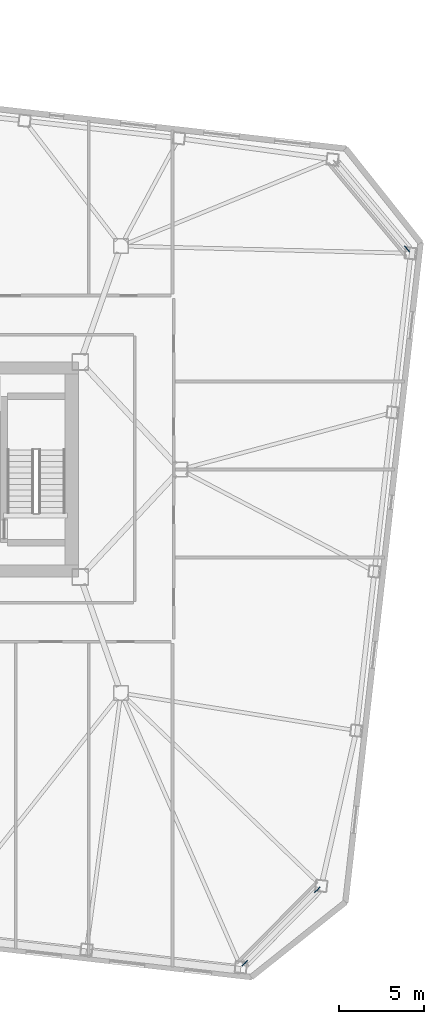
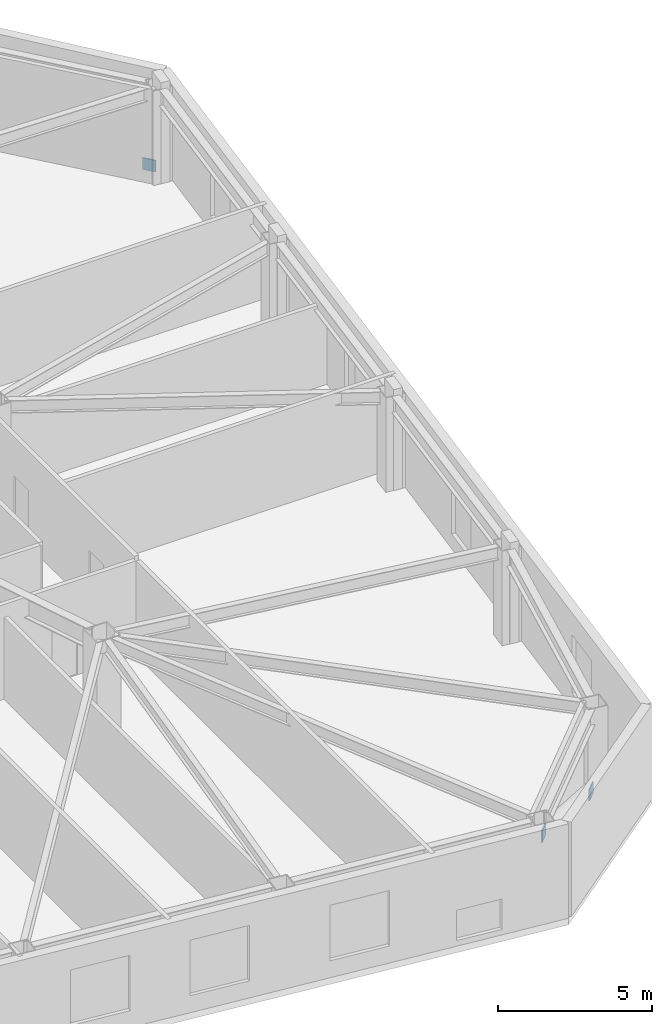
# One storey, part 19 of 21: 3 discrete accessories.
"""IFC4 building model written with IfcOpenShell, lengths in metres."""

from ifc_helpers import new_model, si_unit, direction, frame, origin, origin_2d, place, context, subcontext, project, spatial, rectangle, extrude, material, type_object, element, save


model = new_model("IFC4")

# Units and contexts
model_context = context("Model", 3, precision=1e-05, world=origin(), true_north=direction((0.0, 1.0)))
body_context = subcontext(model_context, "Body", "Model", "MODEL_VIEW")
ifc_project = project(units=[si_unit("LENGTHUNIT", "METRE"), si_unit("AREAUNIT", "SQUARE_METRE"), si_unit("VOLUMEUNIT", "CUBIC_METRE"), si_unit("PLANEANGLEUNIT", "RADIAN"), si_unit("MASSUNIT", "GRAM", prefix="KILO")], contexts=[model_context])

# Site, building, storey
site_placement = place(None, origin())
site = spatial("IfcSite", under=ifc_project, at=site_placement, CompositionType="ELEMENT")
building_placement = place(site_placement, origin())
building = spatial("IfcBuilding", under=site, at=building_placement, Name="Tavrogorsk Clinical Tower", CompositionType="ELEMENT")
storey_placement = place(building_placement, frame((0.0, 0.0, 137.39990234375)))
storey = spatial("IfcBuildingStorey", under=building, at=storey_placement, Name="L31", CompositionType="ELEMENT", Elevation=137.39990234375)

# Discrete accessories
ifc_material = material(Name="Structural steel S440", Category="steel")
discrete_accessory_type = type_object("IfcDiscreteAccessoryType", Name="GussetPlateBracket_25", PredefinedType="BRACKET", material=ifc_material)
for number, where, z_axis, x_axis, name in (
    (1, (36.1025390625, -24.82763671875, 0.20458984375), (0.0, 0.0, 1.0), (-0.702898299792, -0.711290362756, 0.0), "L31 Brace Gusset Plate EXOCRN-L31-1-A"),
    (2, (31.81640625, -29.1650390625, 2.67578125), (0.0, 0.0, 1.0), (-0.702898299792, -0.711290362756, 0.0), "L31 Brace Gusset Plate EXOCRN-L31-1-B"),
    (3, (41.40771484375, 13.03076171875, 0.197021484375), (0.0, 0.0, 1.0), (-0.640243780506, 0.768171791674, 0.0), "L31 Brace Gusset Plate EXOCRN-L31-2-A"),
):
    element("IfcDiscreteAccessory", number, at=place(storey_placement, frame(where, z_axis=z_axis, x_axis=x_axis)), inside=storey, type_object=discrete_accessory_type, Name=name, PredefinedType="BRACKET", context=body_context, shape_type="SweptSolid", body=[
        extrude(rectangle(XDim=0.4599609375, YDim=0.0400390625, at=origin_2d()), origin(), (0.0, 0.0, 1.0), 0.4599609375),
    ])

save(model, "model.ifc")
